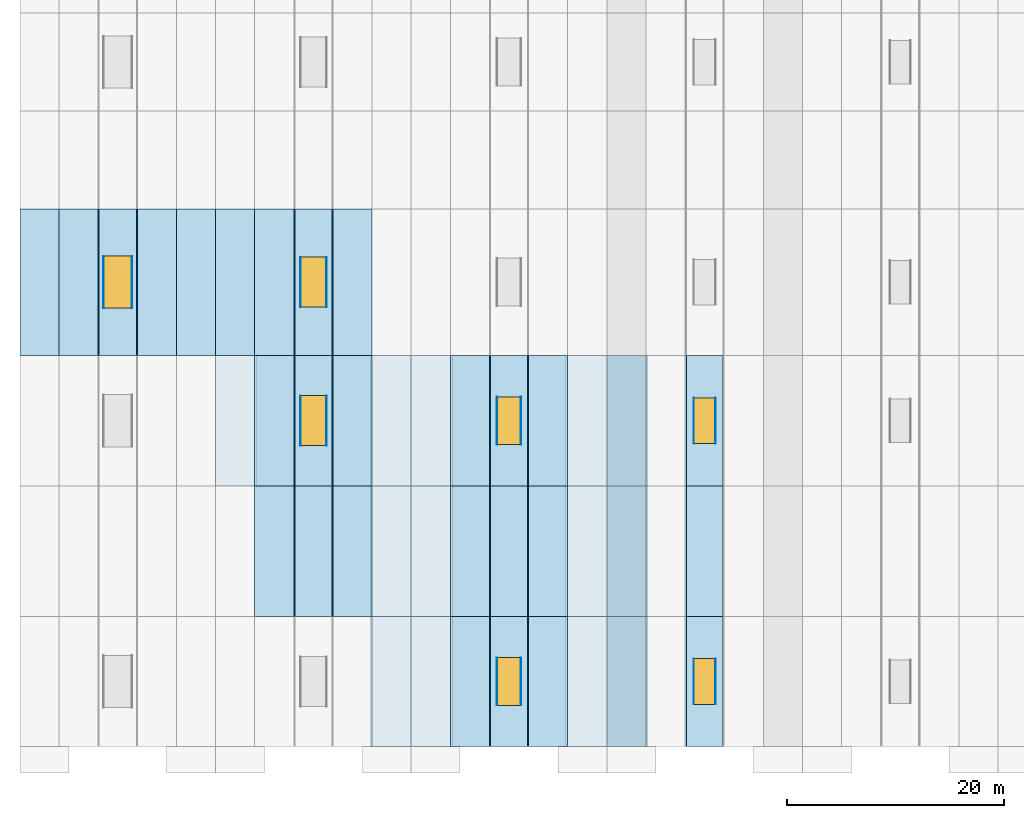
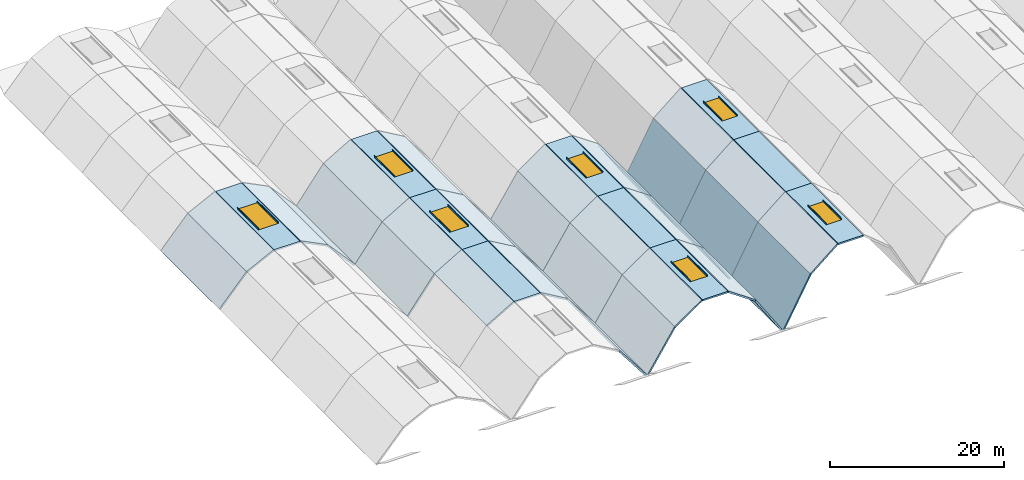
# One storey, part 2 of 11: 43 slabs, 14 plates, 7 windows, 7 openings.
"""IFC4 building model written with IfcOpenShell, lengths in metres."""

from ifc_helpers import new_model, si_unit, direction, frame, origin, origin_2d, place, context, subcontext, project, spatial, polyline, rectangle, outline, extrude, material, layer, layer_set, type_object, element, fill, save


model = new_model("IFC4")

# Units and contexts
model_context = context("Model", 3, precision=1e-05, world=origin(), true_north=direction((0.0, 1.0)))
body_context = subcontext(model_context, "Body", "Model", "MODEL_VIEW")
ifc_project = project(units=[si_unit("LENGTHUNIT", "METRE"), si_unit("AREAUNIT", "SQUARE_METRE"), si_unit("VOLUMEUNIT", "CUBIC_METRE"), si_unit("PLANEANGLEUNIT", "RADIAN"), si_unit("MASSUNIT", "GRAM", prefix="KILO")], contexts=[model_context])

# Site, building, storey
site_placement = place(None, origin())
site = spatial("IfcSite", under=ifc_project, at=site_placement, CompositionType="ELEMENT")
building_placement = place(site_placement, origin())
building = spatial("IfcBuilding", under=site, at=building_placement, Name="Chuanluo Vaults Station", CompositionType="ELEMENT")
storey_placement = place(building_placement, frame((0.0, 0.0, 24.0)))
storey = spatial("IfcBuildingStorey", under=building, at=storey_placement, Name="RF", CompositionType="ELEMENT", Elevation=24.0)

# Plates
ifc_material_1 = material(Name="Laminated safety skylight glass", Category="glass")
ifc_layer_1 = layer(ifc_material_1, 0.033935546875)
ifc_layer_set_1 = layer_set([ifc_layer_1], Name="Laminated safety skylight glass")
plate_type_1 = type_object("IfcPlateType", Name="PLT-SKY-01", PredefinedType="SHEET", material=ifc_layer_set_1)
plate_1_placement = place(storey_placement, frame((7.699951171875, 60.75, -4.0498046875), z_axis=(0.0, 0.0, 1.0), x_axis=(1.0, 0.0, 0.0)))
element("IfcPlate", 1, at=plate_1_placement, inside=storey, type_object=plate_type_1, Name="Vault V1 skylight kerb plate 03W", PredefinedType="SHEET", context=body_context, shape_type="SweptSolid", body=[
    extrude(rectangle(XDim=0.033935546875, YDim=4.800048828125, at=origin_2d()), origin(), (0.0, 0.0, 1.0), 0.219970703125),
])
for number, where, z_axis, x_axis, name in (
    (2, (25.800048828125, 48.0, -3.0498046875), (0.0, 0.0, 1.0), (1.0, 0.0, 0.0), "Vault V2 skylight kerb plate 07W"),
    (3, (25.800048828125, 60.75, -3.0498046875), (0.0, 0.0, 1.0), (1.0, 0.0, 0.0), "Vault V2 skylight kerb plate 08W"),
):
    element("IfcPlate", number, at=place(storey_placement, frame(where, z_axis=z_axis, x_axis=x_axis)), inside=storey, type_object=plate_type_1, Name=name, PredefinedType="SHEET", context=body_context, shape_type="SweptSolid", body=[
        extrude(rectangle(XDim=0.033935546875, YDim=4.60009765625, at=origin_2d()), origin(), (0.0, 0.0, 1.0), 0.219970703125),
    ])
for number, where, z_axis, x_axis, name in (
    (4, (43.89990234375, 24.0, -1.85009765625), (0.0, 0.0, 1.0), (1.0, 0.0, 0.0), "Vault V3 skylight kerb plate 11W"),
    (5, (43.89990234375, 48.0, -1.85009765625), (0.0, 0.0, 1.0), (1.0, 0.0, 0.0), "Vault V3 skylight kerb plate 12W"),
):
    element("IfcPlate", number, at=place(storey_placement, frame(where, z_axis=z_axis, x_axis=x_axis)), inside=storey, type_object=plate_type_1, Name=name, PredefinedType="SHEET", context=body_context, shape_type="SweptSolid", body=[
        extrude(rectangle(XDim=0.033935546875, YDim=4.39990234375, at=origin_2d()), origin(), (0.0, 0.0, 1.0), 0.219970703125),
    ])
for number, where, z_axis, x_axis, name in (
    (6, (62.0, 24.0, -0.25), (0.0, 0.0, 1.0), (1.0, 0.0, 0.0), "Vault V4 skylight kerb plate 16W"),
    (7, (62.0, 48.0, -0.25), (0.0, 0.0, 1.0), (1.0, 0.0, 0.0), "Vault V4 skylight kerb plate 17W"),
):
    element("IfcPlate", number, at=place(storey_placement, frame(where, z_axis=z_axis, x_axis=x_axis)), inside=storey, type_object=plate_type_1, Name=name, PredefinedType="SHEET", context=body_context, shape_type="SweptSolid", body=[
        extrude(rectangle(XDim=0.033935546875, YDim=4.199951171875, at=origin_2d()), origin(), (0.0, 0.0, 1.0), 0.219970703125),
    ])
ifc_material_2 = material(Name="Laminated safety skylight glass", Category="glass")
ifc_layer_2 = layer(ifc_material_2, 0.030029296875)
ifc_layer_set_2 = layer_set([ifc_layer_2], Name="Laminated safety skylight glass")
plate_type_2 = type_object("IfcPlateType", Name="PLT-SKY-02", PredefinedType="SHEET", material=ifc_layer_set_2)
plate_2_placement = place(storey_placement, frame((10.300048828125, 60.75, -4.0498046875), z_axis=(0.0, 0.0, 1.0), x_axis=(1.0, 0.0, 0.0)))
element("IfcPlate", 8, at=plate_2_placement, inside=storey, type_object=plate_type_2, Name="Vault V1 skylight kerb plate 03E", PredefinedType="SHEET", context=body_context, shape_type="SweptSolid", body=[
    extrude(rectangle(XDim=0.030029296875, YDim=4.800048828125, at=origin_2d()), origin(), (0.0, 0.0, 1.0), 0.219970703125),
])
for number, where, z_axis, x_axis, name in (
    (9, (28.199951171875, 48.0, -3.0498046875), (0.0, 0.0, 1.0), (1.0, 0.0, 0.0), "Vault V2 skylight kerb plate 07E"),
    (10, (28.199951171875, 60.75, -3.0498046875), (0.0, 0.0, 1.0), (1.0, 0.0, 0.0), "Vault V2 skylight kerb plate 08E"),
):
    element("IfcPlate", number, at=place(storey_placement, frame(where, z_axis=z_axis, x_axis=x_axis)), inside=storey, type_object=plate_type_2, Name=name, PredefinedType="SHEET", context=body_context, shape_type="SweptSolid", body=[
        extrude(rectangle(XDim=0.030029296875, YDim=4.60009765625, at=origin_2d()), origin(), (0.0, 0.0, 1.0), 0.219970703125),
    ])
for number, where, z_axis, x_axis, name in (
    (11, (46.10009765625, 24.0, -1.85009765625), (0.0, 0.0, 1.0), (1.0, 0.0, 0.0), "Vault V3 skylight kerb plate 11E"),
    (12, (46.10009765625, 48.0, -1.85009765625), (0.0, 0.0, 1.0), (1.0, 0.0, 0.0), "Vault V3 skylight kerb plate 12E"),
):
    element("IfcPlate", number, at=place(storey_placement, frame(where, z_axis=z_axis, x_axis=x_axis)), inside=storey, type_object=plate_type_2, Name=name, PredefinedType="SHEET", context=body_context, shape_type="SweptSolid", body=[
        extrude(rectangle(XDim=0.030029296875, YDim=4.39990234375, at=origin_2d()), origin(), (0.0, 0.0, 1.0), 0.219970703125),
    ])
for number, where, z_axis, x_axis, name in (
    (13, (64.0, 24.0, -0.25), (0.0, 0.0, 1.0), (1.0, 0.0, 0.0), "Vault V4 skylight kerb plate 16E"),
    (14, (64.0, 48.0, -0.25), (0.0, 0.0, 1.0), (1.0, 0.0, 0.0), "Vault V4 skylight kerb plate 17E"),
):
    element("IfcPlate", number, at=place(storey_placement, frame(where, z_axis=z_axis, x_axis=x_axis)), inside=storey, type_object=plate_type_2, Name=name, PredefinedType="SHEET", context=body_context, shape_type="SweptSolid", body=[
        extrude(rectangle(XDim=0.030029296875, YDim=4.199951171875, at=origin_2d()), origin(), (0.0, 0.0, 1.0), 0.219970703125),
    ])

# Slabs
ifc_material_3 = material(Name="Concrete C50", Category="concrete")
ifc_layer_3 = layer(ifc_material_3, 0.219970703125)
ifc_layer_set_3 = layer_set([ifc_layer_3], Name="Concrete C50")
slab_type = type_object("IfcSlabType", Name="SLB-VLT-220", PredefinedType="ROOF", material=ifc_layer_set_3)
slab_1_placement = place(storey_placement, frame((0.0, 54.0, -9.85009765625), z_axis=(-0.74346776464, 0.0, 0.668771771938), x_axis=(0.668771771938, 0.0, 0.74346776464)))
element("IfcSlab", 15, at=slab_1_placement, inside=storey, type_object=slab_type, Name="Vault V1 planar roof facet 4-L1", PredefinedType="ROOF", context=body_context, shape_type="SweptSolid", body=[
    extrude(outline(polyline([(0.0, 0.0), (5.383148343442986, 0.0), (5.383148343442986, 13.5), (0.0, 13.5), (0.0, 0.0)])), origin(), (0.0, 0.0, -1.0), 0.219970703125),
])
for number, where, z_axis, x_axis, name in (
    (16, (3.60009765625, 54.0, -5.847900390625), (-0.446800966909, 0.0, 0.894633386348), (0.894633386348, 0.0, 0.446800966909), "Vault V1 planar roof facet 4-L2"),
    (17, (10.800048828125, 54.0, -4.050048828125), (0.446800966909, 0.0, 0.894633386348), (0.894633386348, 0.0, -0.446800966909), "Vault V1 planar roof facet 4-R2"),
):
    element("IfcSlab", number, at=place(storey_placement, frame(where, z_axis=z_axis, x_axis=x_axis)), inside=storey, type_object=slab_type, Name=name, PredefinedType="ROOF", context=body_context, shape_type="SweptSolid", body=[
        extrude(outline(polyline([(0.0, 0.0), (4.023830957525598, 0.0), (4.023830957525598, 13.5), (0.0, 13.5), (0.0, 0.0)])), origin(), (0.0, 0.0, -1.0), 0.219970703125),
    ])
slab_2_placement = place(storey_placement, frame((14.39990234375, 54.0, -5.847900390625), z_axis=(0.74346776464, 0.0, 0.668771771938), x_axis=(0.668771771938, 0.0, -0.74346776464)))
element("IfcSlab", 18, at=slab_2_placement, inside=storey, type_object=slab_type, Name="Vault V1 planar roof facet 4-R1", PredefinedType="ROOF", context=body_context, shape_type="SweptSolid", body=[
    extrude(outline(polyline([(0.0, 0.0), (5.383148343442986, 0.0), (5.383148343442986, 13.5), (0.0, 13.5), (0.0, 0.0)])), origin(), (0.0, 0.0, -1.0), 0.219970703125),
])

# Slab, opening, window
slab_3_placement = place(storey_placement, frame((0.0, 0.0, -4.27001953125)))
slab_3 = element("IfcSlab", 19, at=slab_3_placement, inside=storey, type_object=slab_type, Name="Vault V1 crown skylight slab 4", PredefinedType="ROOF", context=body_context, shape_type="SweptSolid", body=[
    extrude(outline(polyline([(7.283203125, 54.0), (10.716796875, 54.0), (10.716796875, 67.5), (7.283203125, 67.5), (7.283203125, 54.0)])), origin(), (0.0, 0.0, 1.0), 0.219970703125),
])
opening_1_placement = place(slab_3_placement, frame((9.0, 60.75, 0.0)))
opening_1 = element("IfcOpeningElement", 20, at=opening_1_placement, cuts=slab_3, Name="Opening SK-01", PredefinedType="OPENING", context=body_context, shape_type="SweptSolid", body=[
    extrude(rectangle(XDim=2.60009765625, YDim=4.800048828125, at=origin_2d()), frame((0.0, 0.0, -0.01)), (0.0, 0.0, 1.0), 0.23997),
])
ifc_material_4 = material(Name="Laminated safety skylight glass", Category="glass")
window_type_1 = type_object("IfcWindowType", Name="SKY-VLT-2600x4800", PartitioningType="SINGLE_PANEL", PredefinedType="SKYLIGHT", material=ifc_material_4)
window_1_placement = place(opening_1_placement, frame((0.0, 0.0, 0.169921875)))
window_1 = element("IfcWindow", 21, at=window_1_placement, inside=storey, type_object=window_type_1, Name="Vault V1 ridge skylight 03", OverallHeight=4.800048828125, OverallWidth=2.60009765625, PartitioningType="SINGLE_PANEL", PredefinedType="SKYLIGHT", context=body_context, shape_type="SweptSolid", body=[
    extrude(rectangle(XDim=2.60009765625, YDim=4.800048828125, at=origin_2d()), origin(), (0.0, 0.0, 1.0), 0.050048828125),
])
fill(opening_1, window_1)

# Slabs
slab_4_placement = place(storey_placement, frame((32.39990234375, 18.0, -5.157958984375), z_axis=(0.793378408249, 0.0, 0.608728758418), x_axis=(0.608728758418, 0.0, -0.793378408249)))
element("IfcSlab", 22, at=slab_4_placement, inside=storey, type_object=slab_type, Name="Vault V2 planar roof facet 1-R1", PredefinedType="ROOF", context=body_context, shape_type="SweptSolid", body=[
    extrude(outline(polyline([(0.0, 0.0), (5.914124487245905, 0.0), (5.914124487245905, 12.0), (0.0, 12.0), (0.0, 0.0)])), origin(), (0.0, 0.0, -1.0), 0.219970703125),
])
for number, where, z_axis, x_axis, name in (
    (23, (21.60009765625, 30.0, -5.157958984375), (-0.505300394389, 0.0, 0.862943515782), (0.862943515782, 0.0, 0.505300394389), "Vault V2 planar roof facet 2-L2"),
    (24, (28.800048828125, 30.0, -3.050048828125), (0.505300394389, 0.0, 0.862943515782), (0.862943515782, 0.0, -0.505300394389), "Vault V2 planar roof facet 2-R2"),
):
    element("IfcSlab", number, at=place(storey_placement, frame(where, z_axis=z_axis, x_axis=x_axis)), inside=storey, type_object=slab_type, Name=name, PredefinedType="ROOF", context=body_context, shape_type="SweptSolid", body=[
        extrude(outline(polyline([(0.0, 0.0), (4.171598082363589, 0.0), (4.171598082363589, 12.0), (0.0, 12.0), (0.0, 0.0)])), origin(), (0.0, 0.0, -1.0), 0.219970703125),
    ])
slab_5_placement = place(storey_placement, frame((32.39990234375, 30.0, -5.157958984375), z_axis=(0.793378408249, 0.0, 0.608728758418), x_axis=(0.608728758418, 0.0, -0.793378408249)))
element("IfcSlab", 25, at=slab_5_placement, inside=storey, type_object=slab_type, Name="Vault V2 planar roof facet 2-R1", PredefinedType="ROOF", context=body_context, shape_type="SweptSolid", body=[
    extrude(outline(polyline([(0.0, 0.0), (5.914124487245905, 0.0), (5.914124487245905, 12.0), (0.0, 12.0), (0.0, 0.0)])), origin(), (0.0, 0.0, -1.0), 0.219970703125),
])
slab_6_placement = place(storey_placement, frame((0.0, 0.0, -3.27001953125)))
element("IfcSlab", 26, at=slab_6_placement, inside=storey, type_object=slab_type, Name="Vault V2 crown skylight slab 2", PredefinedType="ROOF", context=body_context, shape_type="SweptSolid", body=[
    extrude(outline(polyline([(25.296142578125, 30.0), (28.703857421875, 30.0), (28.703857421875, 42.0), (25.296142578125, 42.0), (25.296142578125, 30.0)])), origin(), (0.0, 0.0, 1.0), 0.219970703125),
])
slab_7_placement = place(storey_placement, frame((18.0, 42.0, -9.85009765625), z_axis=(-0.793378408249, 0.0, 0.608728758418), x_axis=(0.608728758418, 0.0, 0.793378408249)))
element("IfcSlab", 27, at=slab_7_placement, inside=storey, type_object=slab_type, Name="Vault V2 planar roof facet 3-L1", PredefinedType="ROOF", context=body_context, shape_type="SweptSolid", body=[
    extrude(outline(polyline([(0.0, 0.0), (5.914124487245905, 0.0), (5.914124487245905, 12.0), (0.0, 12.0), (0.0, 0.0)])), origin(), (0.0, 0.0, -1.0), 0.219970703125),
])
for number, where, z_axis, x_axis, name in (
    (28, (21.60009765625, 42.0, -5.157958984375), (-0.505300394389, 0.0, 0.862943515782), (0.862943515782, 0.0, 0.505300394389), "Vault V2 planar roof facet 3-L2"),
    (29, (28.800048828125, 42.0, -3.050048828125), (0.505300394389, 0.0, 0.862943515782), (0.862943515782, 0.0, -0.505300394389), "Vault V2 planar roof facet 3-R2"),
):
    element("IfcSlab", number, at=place(storey_placement, frame(where, z_axis=z_axis, x_axis=x_axis)), inside=storey, type_object=slab_type, Name=name, PredefinedType="ROOF", context=body_context, shape_type="SweptSolid", body=[
        extrude(outline(polyline([(0.0, 0.0), (4.171598082363589, 0.0), (4.171598082363589, 12.0), (0.0, 12.0), (0.0, 0.0)])), origin(), (0.0, 0.0, -1.0), 0.219970703125),
    ])
slab_8_placement = place(storey_placement, frame((32.39990234375, 42.0, -5.157958984375), z_axis=(0.793378408249, 0.0, 0.608728758418), x_axis=(0.608728758418, 0.0, -0.793378408249)))
element("IfcSlab", 30, at=slab_8_placement, inside=storey, type_object=slab_type, Name="Vault V2 planar roof facet 3-R1", PredefinedType="ROOF", context=body_context, shape_type="SweptSolid", body=[
    extrude(outline(polyline([(0.0, 0.0), (5.914124487245905, 0.0), (5.914124487245905, 12.0), (0.0, 12.0), (0.0, 0.0)])), origin(), (0.0, 0.0, -1.0), 0.219970703125),
])

# Slab, opening, window
slab_9_placement = place(storey_placement, frame((0.0, 0.0, -3.27001953125)))
slab_9 = element("IfcSlab", 31, at=slab_9_placement, inside=storey, type_object=slab_type, Name="Vault V2 crown skylight slab 3", PredefinedType="ROOF", context=body_context, shape_type="SweptSolid", body=[
    extrude(outline(polyline([(25.296142578125, 42.0), (28.703857421875, 42.0), (28.703857421875, 54.0), (25.296142578125, 54.0), (25.296142578125, 42.0)])), origin(), (0.0, 0.0, 1.0), 0.219970703125),
])
opening_2_placement = place(slab_9_placement, frame((27.0, 48.0, 0.0)))
opening_2 = element("IfcOpeningElement", 32, at=opening_2_placement, cuts=slab_9, Name="Opening SK-02", PredefinedType="OPENING", context=body_context, shape_type="SweptSolid", body=[
    extrude(rectangle(XDim=2.39990234375, YDim=4.60009765625, at=origin_2d()), frame((0.0, 0.0, -0.01)), (0.0, 0.0, 1.0), 0.23997),
])
ifc_material_5 = material(Name="Laminated safety skylight glass", Category="glass")
window_type_2 = type_object("IfcWindowType", Name="SKY-VLT-2400x4600", PartitioningType="SINGLE_PANEL", PredefinedType="SKYLIGHT", material=ifc_material_5)
window_2_placement = place(opening_2_placement, frame((0.0, 0.0, 0.169921875)))
window_2 = element("IfcWindow", 33, at=window_2_placement, inside=storey, type_object=window_type_2, Name="Vault V2 ridge skylight 07", OverallHeight=4.60009765625, OverallWidth=2.39990234375, PartitioningType="SINGLE_PANEL", PredefinedType="SKYLIGHT", context=body_context, shape_type="SweptSolid", body=[
    extrude(rectangle(XDim=2.39990234375, YDim=4.60009765625, at=origin_2d()), origin(), (0.0, 0.0, 1.0), 0.050048828125),
])
fill(opening_2, window_2)

# Slabs
slab_10_placement = place(storey_placement, frame((18.0, 54.0, -9.85009765625), z_axis=(-0.793378408249, 0.0, 0.608728758418), x_axis=(0.608728758418, 0.0, 0.793378408249)))
element("IfcSlab", 34, at=slab_10_placement, inside=storey, type_object=slab_type, Name="Vault V2 planar roof facet 4-L1", PredefinedType="ROOF", context=body_context, shape_type="SweptSolid", body=[
    extrude(outline(polyline([(0.0, 0.0), (5.914124487245905, 0.0), (5.914124487245905, 13.5), (0.0, 13.5), (0.0, 0.0)])), origin(), (0.0, 0.0, -1.0), 0.219970703125),
])
for number, where, z_axis, x_axis, name in (
    (35, (21.60009765625, 54.0, -5.157958984375), (-0.505300394389, 0.0, 0.862943515782), (0.862943515782, 0.0, 0.505300394389), "Vault V2 planar roof facet 4-L2"),
    (36, (28.800048828125, 54.0, -3.050048828125), (0.505300394389, 0.0, 0.862943515782), (0.862943515782, 0.0, -0.505300394389), "Vault V2 planar roof facet 4-R2"),
):
    element("IfcSlab", number, at=place(storey_placement, frame(where, z_axis=z_axis, x_axis=x_axis)), inside=storey, type_object=slab_type, Name=name, PredefinedType="ROOF", context=body_context, shape_type="SweptSolid", body=[
        extrude(outline(polyline([(0.0, 0.0), (4.171598082363588, 0.0), (4.171598082363588, 13.499999999999998), (0.0, 13.499999999999998), (0.0, 0.0)])), origin(), (0.0, 0.0, -1.0), 0.219970703125),
    ])

# Slab, opening, window
slab_11_placement = place(storey_placement, frame((0.0, 0.0, -3.27001953125)))
slab_11 = element("IfcSlab", 37, at=slab_11_placement, inside=storey, type_object=slab_type, Name="Vault V2 crown skylight slab 4", PredefinedType="ROOF", context=body_context, shape_type="SweptSolid", body=[
    extrude(outline(polyline([(25.296142578125, 54.0), (28.703857421875, 54.0), (28.703857421875, 67.5), (25.296142578125, 67.5), (25.296142578125, 54.0)])), origin(), (0.0, 0.0, 1.0), 0.219970703125),
])
opening_3_placement = place(slab_11_placement, frame((27.0, 60.75, 0.0)))
opening_3 = element("IfcOpeningElement", 38, at=opening_3_placement, cuts=slab_11, Name="Opening SK-02", PredefinedType="OPENING", context=body_context, shape_type="SweptSolid", body=[
    extrude(rectangle(XDim=2.39990234375, YDim=4.60009765625, at=origin_2d()), frame((0.0, 0.0, -0.01)), (0.0, 0.0, 1.0), 0.23997),
])
window_3_placement = place(opening_3_placement, frame((0.0, 0.0, 0.169921875)))
window_3 = element("IfcWindow", 39, at=window_3_placement, inside=storey, type_object=window_type_2, Name="Vault V2 ridge skylight 08", OverallHeight=4.60009765625, OverallWidth=2.39990234375, PartitioningType="SINGLE_PANEL", PredefinedType="SKYLIGHT", context=body_context, shape_type="SweptSolid", body=[
    extrude(rectangle(XDim=2.39990234375, YDim=4.60009765625, at=origin_2d()), origin(), (0.0, 0.0, 1.0), 0.050048828125),
])
fill(opening_3, window_3)

# Slabs
slab_12_placement = place(storey_placement, frame((36.0, 18.0, -9.85009765625), z_axis=(-0.837604700912, 0.0, 0.54627682086), x_axis=(0.54627682086, 0.0, 0.837604700912)))
element("IfcSlab", 40, at=slab_12_placement, inside=storey, type_object=slab_type, Name="Vault V3 planar roof facet 1-L1", PredefinedType="ROOF", context=body_context, shape_type="SweptSolid", body=[
    extrude(outline(polyline([(0.0, 0.0), (6.590244210946831, 0.0), (6.590244210946831, 12.0), (0.0, 12.0), (0.0, 0.0)])), origin(), (0.0, 0.0, -1.0), 0.219970703125),
])
for number, where, z_axis, x_axis, name in (
    (41, (39.60009765625, 18.0, -4.330078125), (-0.567317861209, 0.0, 0.823498903675), (0.823498903675, 0.0, 0.567317861209), "Vault V3 planar roof facet 1-L2"),
    (42, (46.800048828125, 18.0, -1.85009765625), (0.567317861209, 0.0, 0.823498903675), (0.823498903675, 0.0, -0.567317861209), "Vault V3 planar roof facet 1-R2"),
):
    element("IfcSlab", number, at=place(storey_placement, frame(where, z_axis=z_axis, x_axis=x_axis)), inside=storey, type_object=slab_type, Name=name, PredefinedType="ROOF", context=body_context, shape_type="SweptSolid", body=[
        extrude(outline(polyline([(0.0, 0.0), (4.371412638877636, 0.0), (4.371412638877636, 12.0), (0.0, 12.0), (0.0, 0.0)])), origin(), (0.0, 0.0, -1.0), 0.219970703125),
    ])
slab_13_placement = place(storey_placement, frame((50.39990234375, 18.0, -4.330078125), z_axis=(0.837604700912, 0.0, 0.54627682086), x_axis=(0.54627682086, 0.0, -0.837604700912)))
element("IfcSlab", 43, at=slab_13_placement, inside=storey, type_object=slab_type, Name="Vault V3 planar roof facet 1-R1", PredefinedType="ROOF", context=body_context, shape_type="SweptSolid", body=[
    extrude(outline(polyline([(0.0, 0.0), (6.590244210946831, 0.0), (6.590244210946831, 12.0), (0.0, 12.0), (0.0, 0.0)])), origin(), (0.0, 0.0, -1.0), 0.219970703125),
])

# Slab, opening, window
slab_14_placement = place(storey_placement, frame((0.0, 0.0, -2.070068359375)))
slab_14 = element("IfcSlab", 44, at=slab_14_placement, inside=storey, type_object=slab_type, Name="Vault V3 crown skylight slab 1", PredefinedType="ROOF", context=body_context, shape_type="SweptSolid", body=[
    extrude(outline(polyline([(43.309814453125, 18.0), (46.690185546875, 18.0), (46.690185546875, 30.0), (43.309814453125, 30.0), (43.309814453125, 18.0)])), origin(), (0.0, 0.0, 1.0), 0.219970703125),
])
opening_4_placement = place(slab_14_placement, frame((45.0, 24.0, 0.0)))
opening_4 = element("IfcOpeningElement", 45, at=opening_4_placement, cuts=slab_14, Name="Opening SK-03", PredefinedType="OPENING", context=body_context, shape_type="SweptSolid", body=[
    extrude(rectangle(XDim=2.199951171875, YDim=4.39990234375, at=origin_2d()), frame((0.0, 0.0, -0.01)), (0.0, 0.0, 1.0), 0.23997),
])
ifc_material_6 = material(Name="Laminated safety skylight glass", Category="glass")
window_type_3 = type_object("IfcWindowType", Name="SKY-VLT-2200x4400", PartitioningType="SINGLE_PANEL", PredefinedType="SKYLIGHT", material=ifc_material_6)
window_4_placement = place(opening_4_placement, frame((0.0, 0.0, 0.169921875)))
window_4 = element("IfcWindow", 46, at=window_4_placement, inside=storey, type_object=window_type_3, Name="Vault V3 ridge skylight 11", OverallHeight=4.39990234375, OverallWidth=2.199951171875, PartitioningType="SINGLE_PANEL", PredefinedType="SKYLIGHT", context=body_context, shape_type="SweptSolid", body=[
    extrude(rectangle(XDim=2.199951171875, YDim=4.39990234375, at=origin_2d()), origin(), (0.0, 0.0, 1.0), 0.050048828125),
])
fill(opening_4, window_4)

# Slabs
slab_15_placement = place(storey_placement, frame((36.0, 30.0, -9.85009765625), z_axis=(-0.837604700912, 0.0, 0.54627682086), x_axis=(0.54627682086, 0.0, 0.837604700912)))
element("IfcSlab", 47, at=slab_15_placement, inside=storey, type_object=slab_type, Name="Vault V3 planar roof facet 2-L1", PredefinedType="ROOF", context=body_context, shape_type="SweptSolid", body=[
    extrude(outline(polyline([(0.0, 0.0), (6.590244210946831, 0.0), (6.590244210946831, 12.0), (0.0, 12.0), (0.0, 0.0)])), origin(), (0.0, 0.0, -1.0), 0.219970703125),
])
for number, where, z_axis, x_axis, name in (
    (48, (39.60009765625, 30.0, -4.330078125), (-0.567317861209, 0.0, 0.823498903675), (0.823498903675, 0.0, 0.567317861209), "Vault V3 planar roof facet 2-L2"),
    (49, (46.800048828125, 30.0, -1.85009765625), (0.567317861209, 0.0, 0.823498903675), (0.823498903675, 0.0, -0.567317861209), "Vault V3 planar roof facet 2-R2"),
):
    element("IfcSlab", number, at=place(storey_placement, frame(where, z_axis=z_axis, x_axis=x_axis)), inside=storey, type_object=slab_type, Name=name, PredefinedType="ROOF", context=body_context, shape_type="SweptSolid", body=[
        extrude(outline(polyline([(0.0, 0.0), (4.371412638877636, 0.0), (4.371412638877636, 12.0), (0.0, 12.0), (0.0, 0.0)])), origin(), (0.0, 0.0, -1.0), 0.219970703125),
    ])
slab_16_placement = place(storey_placement, frame((50.39990234375, 30.0, -4.330078125), z_axis=(0.837604700912, 0.0, 0.54627682086), x_axis=(0.54627682086, 0.0, -0.837604700912)))
element("IfcSlab", 50, at=slab_16_placement, inside=storey, type_object=slab_type, Name="Vault V3 planar roof facet 2-R1", PredefinedType="ROOF", context=body_context, shape_type="SweptSolid", body=[
    extrude(outline(polyline([(0.0, 0.0), (6.590244210946831, 0.0), (6.590244210946831, 12.0), (0.0, 12.0), (0.0, 0.0)])), origin(), (0.0, 0.0, -1.0), 0.219970703125),
])
slab_17_placement = place(storey_placement, frame((0.0, 0.0, -2.070068359375)))
element("IfcSlab", 51, at=slab_17_placement, inside=storey, type_object=slab_type, Name="Vault V3 crown skylight slab 2", PredefinedType="ROOF", context=body_context, shape_type="SweptSolid", body=[
    extrude(outline(polyline([(43.309814453125, 30.0), (46.690185546875, 30.0), (46.690185546875, 42.0), (43.309814453125, 42.0), (43.309814453125, 30.0)])), origin(), (0.0, 0.0, 1.0), 0.219970703125),
])
slab_18_placement = place(storey_placement, frame((36.0, 42.0, -9.85009765625), z_axis=(-0.837604700912, 0.0, 0.54627682086), x_axis=(0.54627682086, 0.0, 0.837604700912)))
element("IfcSlab", 52, at=slab_18_placement, inside=storey, type_object=slab_type, Name="Vault V3 planar roof facet 3-L1", PredefinedType="ROOF", context=body_context, shape_type="SweptSolid", body=[
    extrude(outline(polyline([(0.0, 0.0), (6.590244210946831, 0.0), (6.590244210946831, 12.0), (0.0, 12.0), (0.0, 0.0)])), origin(), (0.0, 0.0, -1.0), 0.219970703125),
])
for number, where, z_axis, x_axis, name in (
    (53, (39.60009765625, 42.0, -4.330078125), (-0.567317861209, 0.0, 0.823498903675), (0.823498903675, 0.0, 0.567317861209), "Vault V3 planar roof facet 3-L2"),
    (54, (46.800048828125, 42.0, -1.85009765625), (0.567317861209, 0.0, 0.823498903675), (0.823498903675, 0.0, -0.567317861209), "Vault V3 planar roof facet 3-R2"),
):
    element("IfcSlab", number, at=place(storey_placement, frame(where, z_axis=z_axis, x_axis=x_axis)), inside=storey, type_object=slab_type, Name=name, PredefinedType="ROOF", context=body_context, shape_type="SweptSolid", body=[
        extrude(outline(polyline([(0.0, 0.0), (4.371412638877636, 0.0), (4.371412638877636, 12.0), (0.0, 12.0), (0.0, 0.0)])), origin(), (0.0, 0.0, -1.0), 0.219970703125),
    ])
slab_19_placement = place(storey_placement, frame((50.39990234375, 42.0, -4.330078125), z_axis=(0.837604700912, 0.0, 0.54627682086), x_axis=(0.54627682086, 0.0, -0.837604700912)))
element("IfcSlab", 55, at=slab_19_placement, inside=storey, type_object=slab_type, Name="Vault V3 planar roof facet 3-R1", PredefinedType="ROOF", context=body_context, shape_type="SweptSolid", body=[
    extrude(outline(polyline([(0.0, 0.0), (6.590244210946831, 0.0), (6.590244210946831, 12.0), (0.0, 12.0), (0.0, 0.0)])), origin(), (0.0, 0.0, -1.0), 0.219970703125),
])

# Slab, opening, window
slab_20_placement = place(storey_placement, frame((0.0, 0.0, -2.070068359375)))
slab_20 = element("IfcSlab", 56, at=slab_20_placement, inside=storey, type_object=slab_type, Name="Vault V3 crown skylight slab 3", PredefinedType="ROOF", context=body_context, shape_type="SweptSolid", body=[
    extrude(outline(polyline([(43.309814453125, 42.0), (46.690185546875, 42.0), (46.690185546875, 54.0), (43.309814453125, 54.0), (43.309814453125, 42.0)])), origin(), (0.0, 0.0, 1.0), 0.219970703125),
])
opening_5_placement = place(slab_20_placement, frame((45.0, 48.0, 0.0)))
opening_5 = element("IfcOpeningElement", 57, at=opening_5_placement, cuts=slab_20, Name="Opening SK-03", PredefinedType="OPENING", context=body_context, shape_type="SweptSolid", body=[
    extrude(rectangle(XDim=2.199951171875, YDim=4.39990234375, at=origin_2d()), frame((0.0, 0.0, -0.01)), (0.0, 0.0, 1.0), 0.23997),
])
window_5_placement = place(opening_5_placement, frame((0.0, 0.0, 0.169921875)))
window_5 = element("IfcWindow", 58, at=window_5_placement, inside=storey, type_object=window_type_3, Name="Vault V3 ridge skylight 12", OverallHeight=4.39990234375, OverallWidth=2.199951171875, PartitioningType="SINGLE_PANEL", PredefinedType="SKYLIGHT", context=body_context, shape_type="SweptSolid", body=[
    extrude(rectangle(XDim=2.199951171875, YDim=4.39990234375, at=origin_2d()), origin(), (0.0, 0.0, 1.0), 0.050048828125),
])
fill(opening_5, window_5)

# Slabs
slab_21_placement = place(storey_placement, frame((54.0, 18.0, -9.85009765625), z_axis=(-0.878619783786, 0.0, 0.477522015764), x_axis=(0.477522015764, 0.0, 0.878619783786)))
element("IfcSlab", 59, at=slab_21_placement, inside=storey, type_object=slab_type, Name="Vault V4 planar roof facet 1-L1", PredefinedType="ROOF", context=body_context, shape_type="SweptSolid", body=[
    extrude(outline(polyline([(0.0, 0.0), (7.539123930211392, 0.0), (7.539123930211392, 12.000000000000004), (0.0, 12.000000000000004), (0.0, 0.0)])), origin(), (0.0, 0.0, -1.0), 0.219970703125),
])
slab_22_placement = place(storey_placement, frame((57.60009765625, 18.0, -3.22607421875), z_axis=(-0.637171823564, 0.0, 0.770721783302), x_axis=(0.770721783302, 0.0, 0.637171823564)))
element("IfcSlab", 60, at=slab_22_placement, inside=storey, type_object=slab_type, Name="Vault V4 planar roof facet 1-L2", PredefinedType="ROOF", context=body_context, shape_type="SweptSolid", body=[
    extrude(outline(polyline([(0.0, 0.0), (4.670756158211012, 0.0), (4.670756158211012, 12.0), (0.0, 12.0), (0.0, 0.0)])), origin(), (0.0, 0.0, -1.0), 0.219970703125),
])

# Slab, opening, window
slab_23_placement = place(storey_placement, frame((0.0, 0.0, -0.469970703125)))
slab_23 = element("IfcSlab", 61, at=slab_23_placement, inside=storey, type_object=slab_type, Name="Vault V4 crown skylight slab 1", PredefinedType="ROOF", context=body_context, shape_type="SweptSolid", body=[
    extrude(outline(polyline([(61.3251953125, 18.0), (64.6748046875, 18.0), (64.6748046875, 30.0), (61.3251953125, 30.0), (61.3251953125, 18.0)])), origin(), (0.0, 0.0, 1.0), 0.219970703125),
])
opening_6_placement = place(slab_23_placement, frame((63.0, 24.0, 0.0)))
opening_6 = element("IfcOpeningElement", 62, at=opening_6_placement, cuts=slab_23, Name="Opening SK-04", PredefinedType="OPENING", context=body_context, shape_type="SweptSolid", body=[
    extrude(rectangle(XDim=2.0, YDim=4.199951171875, at=origin_2d()), frame((0.0, 0.0, -0.01)), (0.0, 0.0, 1.0), 0.23997),
])
ifc_material_7 = material(Name="Laminated safety skylight glass", Category="glass")
window_type_4 = type_object("IfcWindowType", Name="SKY-VLT-2000x4200", PartitioningType="SINGLE_PANEL", PredefinedType="SKYLIGHT", material=ifc_material_7)
window_6_placement = place(opening_6_placement, frame((0.0, 0.0, 0.169921875)))
window_6 = element("IfcWindow", 63, at=window_6_placement, inside=storey, type_object=window_type_4, Name="Vault V4 ridge skylight 16", OverallHeight=4.199951171875, OverallWidth=2.0, PartitioningType="SINGLE_PANEL", PredefinedType="SKYLIGHT", context=body_context, shape_type="SweptSolid", body=[
    extrude(rectangle(XDim=2.0, YDim=4.199951171875, at=origin_2d()), origin(), (0.0, 0.0, 1.0), 0.050048828125),
])
fill(opening_6, window_6)

# Slabs
slab_24_placement = place(storey_placement, frame((54.0, 30.0, -9.85009765625), z_axis=(-0.878619783786, 0.0, 0.477522015764), x_axis=(0.477522015764, 0.0, 0.878619783786)))
element("IfcSlab", 64, at=slab_24_placement, inside=storey, type_object=slab_type, Name="Vault V4 planar roof facet 2-L1", PredefinedType="ROOF", context=body_context, shape_type="SweptSolid", body=[
    extrude(outline(polyline([(0.0, 0.0), (7.539123930211392, 0.0), (7.539123930211392, 12.000000000000004), (0.0, 12.000000000000004), (0.0, 0.0)])), origin(), (0.0, 0.0, -1.0), 0.219970703125),
])
slab_25_placement = place(storey_placement, frame((57.60009765625, 30.0, -3.22607421875), z_axis=(-0.637171823564, 0.0, 0.770721783302), x_axis=(0.770721783302, 0.0, 0.637171823564)))
element("IfcSlab", 65, at=slab_25_placement, inside=storey, type_object=slab_type, Name="Vault V4 planar roof facet 2-L2", PredefinedType="ROOF", context=body_context, shape_type="SweptSolid", body=[
    extrude(outline(polyline([(0.0, 0.0), (4.670756158211012, 0.0), (4.670756158211012, 12.0), (0.0, 12.0), (0.0, 0.0)])), origin(), (0.0, 0.0, -1.0), 0.219970703125),
])
slab_26_placement = place(storey_placement, frame((0.0, 0.0, -0.469970703125)))
element("IfcSlab", 66, at=slab_26_placement, inside=storey, type_object=slab_type, Name="Vault V4 crown skylight slab 2", PredefinedType="ROOF", context=body_context, shape_type="SweptSolid", body=[
    extrude(outline(polyline([(61.3251953125, 30.0), (64.6748046875, 30.0), (64.6748046875, 42.0), (61.3251953125, 42.0), (61.3251953125, 30.0)])), origin(), (0.0, 0.0, 1.0), 0.219970703125),
])
slab_27_placement = place(storey_placement, frame((54.0, 42.0, -9.85009765625), z_axis=(-0.878619783786, 0.0, 0.477522015764), x_axis=(0.477522015764, 0.0, 0.878619783786)))
element("IfcSlab", 67, at=slab_27_placement, inside=storey, type_object=slab_type, Name="Vault V4 planar roof facet 3-L1", PredefinedType="ROOF", context=body_context, shape_type="SweptSolid", body=[
    extrude(outline(polyline([(0.0, 0.0), (7.539123930211392, 0.0), (7.539123930211392, 12.000000000000004), (0.0, 12.000000000000004), (0.0, 0.0)])), origin(), (0.0, 0.0, -1.0), 0.219970703125),
])
slab_28_placement = place(storey_placement, frame((57.60009765625, 42.0, -3.22607421875), z_axis=(-0.637171823564, 0.0, 0.770721783302), x_axis=(0.770721783302, 0.0, 0.637171823564)))
element("IfcSlab", 68, at=slab_28_placement, inside=storey, type_object=slab_type, Name="Vault V4 planar roof facet 3-L2", PredefinedType="ROOF", context=body_context, shape_type="SweptSolid", body=[
    extrude(outline(polyline([(0.0, 0.0), (4.670756158211012, 0.0), (4.670756158211012, 12.0), (0.0, 12.0), (0.0, 0.0)])), origin(), (0.0, 0.0, -1.0), 0.219970703125),
])

# Slab, opening, window
slab_29_placement = place(storey_placement, frame((0.0, 0.0, -0.469970703125)))
slab_29 = element("IfcSlab", 69, at=slab_29_placement, inside=storey, type_object=slab_type, Name="Vault V4 crown skylight slab 3", PredefinedType="ROOF", context=body_context, shape_type="SweptSolid", body=[
    extrude(outline(polyline([(61.3251953125, 42.0), (64.6748046875, 42.0), (64.6748046875, 54.0), (61.3251953125, 54.0), (61.3251953125, 42.0)])), origin(), (0.0, 0.0, 1.0), 0.219970703125),
])
opening_7_placement = place(slab_29_placement, frame((63.0, 48.0, 0.0)))
opening_7 = element("IfcOpeningElement", 70, at=opening_7_placement, cuts=slab_29, Name="Opening SK-04", PredefinedType="OPENING", context=body_context, shape_type="SweptSolid", body=[
    extrude(rectangle(XDim=2.0, YDim=4.199951171875, at=origin_2d()), frame((0.0, 0.0, -0.01)), (0.0, 0.0, 1.0), 0.23997),
])
window_7_placement = place(opening_7_placement, frame((0.0, 0.0, 0.169921875)))
window_7 = element("IfcWindow", 71, at=window_7_placement, inside=storey, type_object=window_type_4, Name="Vault V4 ridge skylight 17", OverallHeight=4.199951171875, OverallWidth=2.0, PartitioningType="SINGLE_PANEL", PredefinedType="SKYLIGHT", context=body_context, shape_type="SweptSolid", body=[
    extrude(rectangle(XDim=2.0, YDim=4.199951171875, at=origin_2d()), origin(), (0.0, 0.0, 1.0), 0.050048828125),
])
fill(opening_7, window_7)

save(model, "model.ifc")
